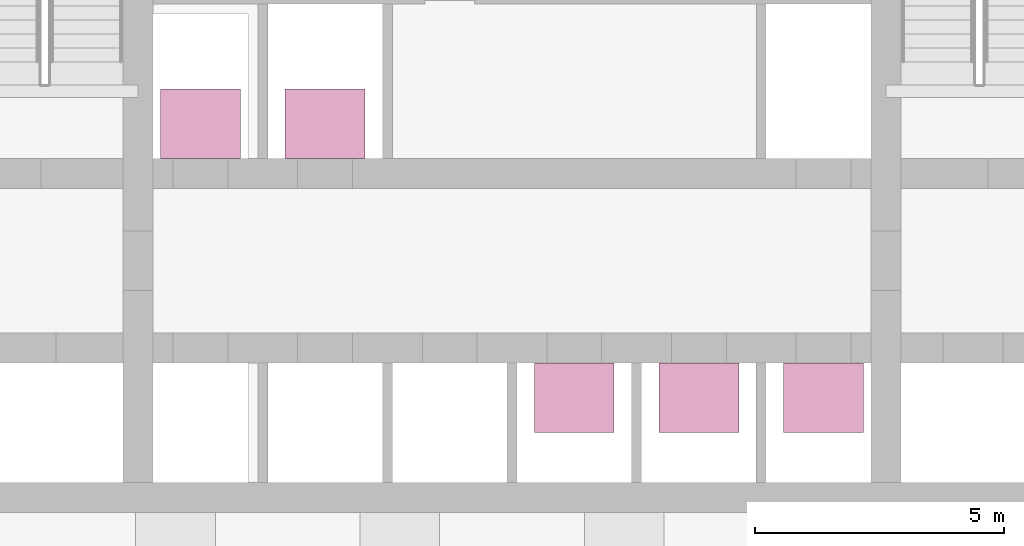
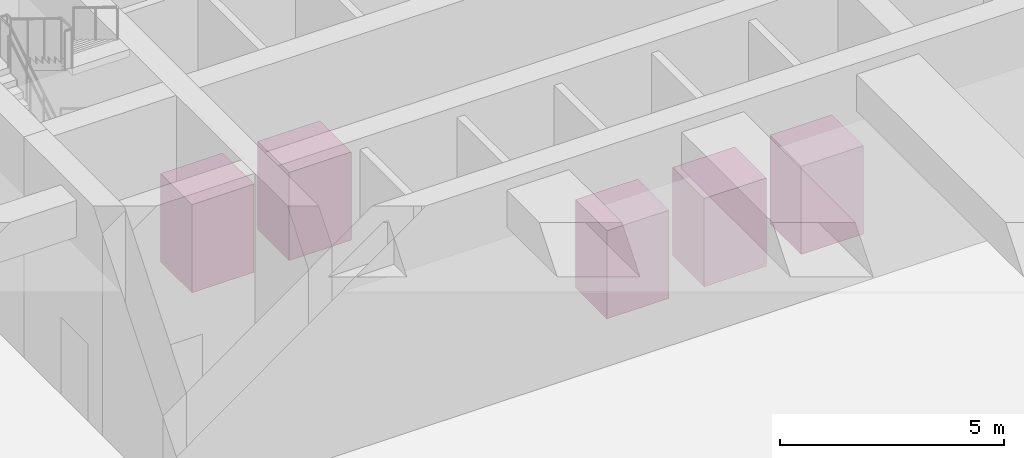
# One storey, part 13 of 13: 5 transport elements.
"""IFC4 building model written with IfcOpenShell, lengths in metres."""

from ifc_helpers import new_model, si_unit, direction, frame, origin, origin_2d, place, context, subcontext, project, spatial, rectangle, extrude, material, type_object, element, save


model = new_model("IFC4")

# Units and contexts
model_context = context("Model", 3, precision=1e-05, world=origin(), true_north=direction((0.0, 1.0)))
body_context = subcontext(model_context, "Body", "Model", "MODEL_VIEW")
ifc_project = project(units=[si_unit("LENGTHUNIT", "METRE"), si_unit("AREAUNIT", "SQUARE_METRE"), si_unit("VOLUMEUNIT", "CUBIC_METRE"), si_unit("PLANEANGLEUNIT", "RADIAN"), si_unit("MASSUNIT", "GRAM", prefix="KILO")], contexts=[model_context])

# Site, building, storey
site_placement = place(None, origin())
site = spatial("IfcSite", under=ifc_project, at=site_placement, CompositionType="ELEMENT")
building_placement = place(site_placement, origin())
building = spatial("IfcBuilding", under=site, at=building_placement, Name="Kilele Tower Hotel", CompositionType="ELEMENT")
storey_placement = place(building_placement, origin())
storey = spatial("IfcBuildingStorey", under=building, at=storey_placement, Name="L00", CompositionType="ELEMENT", Elevation=0.0)

# Transport elements
ifc_material = material(Name="Steel lift car", Category="steel")
transport_element_type = type_object("IfcTransportElementType", Name="Passenger lift car 1600 x 1400", PredefinedType="ELEVATOR", material=ifc_material)
for number, where, z_axis, x_axis, name in (
    (1, (26.0, 15.5, 0.0), (0.0, 0.0, 1.0), (1.0, 0.0, 0.0), "Lift M1"),
    (2, (28.5, 15.5, 0.0), (0.0, 0.0, 1.0), (1.0, 0.0, 0.0), "Lift M2"),
    (3, (31.0, 15.5, 0.0), (0.0, 0.0, 1.0), (1.0, 0.0, 0.0), "Lift M3"),
    (4, (18.5, 21.0, 0.0), (0.0, 0.0, 1.0), (1.0, 0.0, 0.0), "Lift S1"),
    (5, (21.0, 21.0, 0.0), (0.0, 0.0, 1.0), (1.0, 0.0, 0.0), "Lift S2"),
):
    element("IfcTransportElement", number, at=place(storey_placement, frame(where, z_axis=z_axis, x_axis=x_axis)), inside=storey, type_object=transport_element_type, Name=name, PredefinedType="ELEVATOR", context=body_context, shape_type="SweptSolid", body=[
        extrude(rectangle(XDim=1.60009765625, YDim=1.39990234375, at=origin_2d()), origin(), (0.0, 0.0, 1.0), 2.39990234375),
    ])

save(model, "model.ifc")
